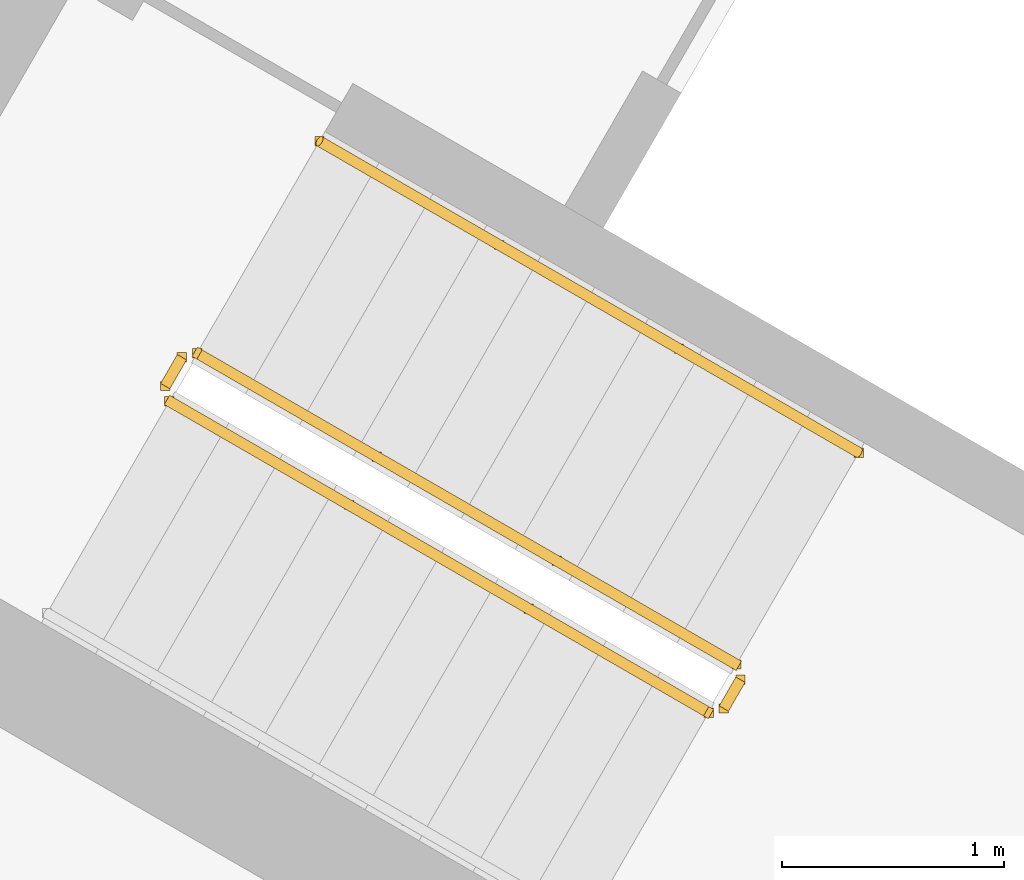
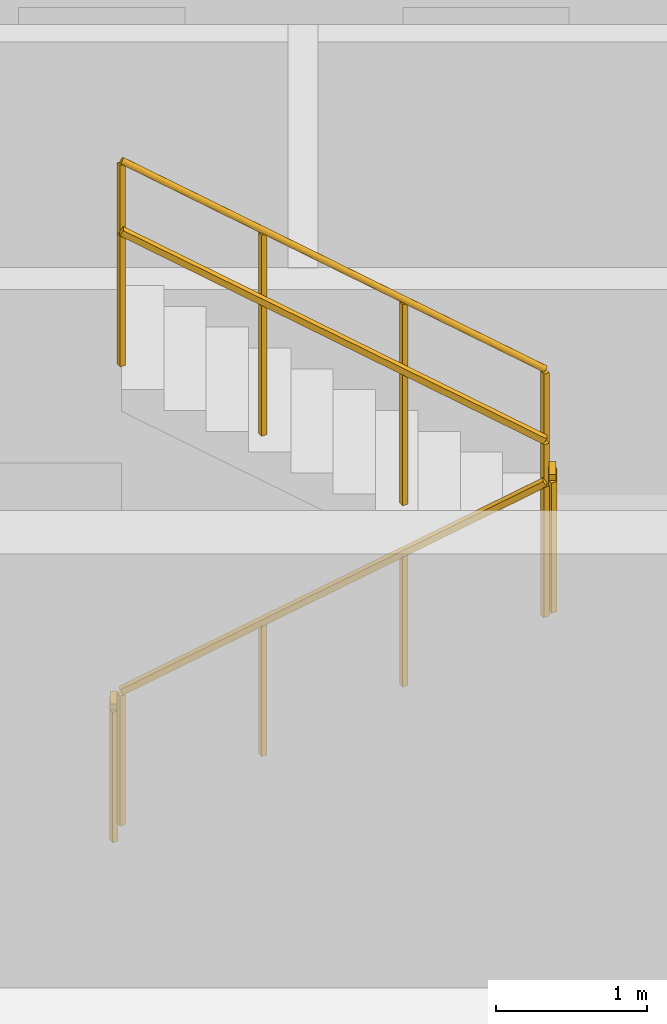
# One storey, part 12 of 14: 5 railings.
"""IFC4 building model written with IfcOpenShell, lengths in metres."""

from ifc_helpers import new_model, si_unit, direction, frame, origin, origin_2d, place, context, subcontext, project, spatial, rectangle, circle, extrude, material, type_object, element, save


model = new_model("IFC4")

# Units and contexts
model_context = context("Model", 3, precision=1e-05, world=origin(), true_north=direction((0.0, 1.0)))
body_context = subcontext(model_context, "Body", "Model", "MODEL_VIEW")
ifc_project = project(units=[si_unit("LENGTHUNIT", "METRE"), si_unit("AREAUNIT", "SQUARE_METRE"), si_unit("VOLUMEUNIT", "CUBIC_METRE"), si_unit("PLANEANGLEUNIT", "RADIAN"), si_unit("MASSUNIT", "GRAM", prefix="KILO")], contexts=[model_context])

# Site, building, storey
site_placement = place(None, origin())
site = spatial("IfcSite", under=ifc_project, at=site_placement, CompositionType="ELEMENT")
building_placement = place(site_placement, origin())
building = spatial("IfcBuilding", under=site, at=building_placement, Name="Apuvela Tower Hotel", CompositionType="ELEMENT")
storey_placement = place(building_placement, frame((0.0, 0.0, 113.10009765625)))
storey = spatial("IfcBuildingStorey", under=building, at=storey_placement, Name="L26", CompositionType="ELEMENT", Elevation=113.10009765625)

# Railings
ifc_material_1 = material(Name="Steel S275 balustrade", Category="steel")
railing_type_1 = type_object("IfcRailingType", Name="COR-GUARD-1100", PredefinedType="GUARDRAIL", material=ifc_material_1)
railing_1_placement = place(storey_placement, frame((10.718994140625, -10.63427734375, 0.16796875)))
element("IfcRailing", 1, at=railing_1_placement, inside=storey, type_object=railing_type_1, Name="L26 ST3 stair guard 1", PredefinedType="GUARDRAIL", context=body_context, shape_type="SweptSolid", body=[
    extrude(rectangle(XDim=0.048095703125, YDim=0.048095703125, at=origin_2d()), frame((0.0, 0.0, 1.076171875), z_axis=(0.742390482028, -0.42860119049, 0.514934356695), x_axis=(0.49998411664, 0.866034573852, 0.0)), (0.0, 0.0, 1.0), 3.26611328125),
    extrude(rectangle(XDim=0.0419921875, YDim=0.0419921875, at=origin_2d()), origin(), (0.0, 0.0, 1.0), 1.052001953125),
    extrude(rectangle(XDim=0.0419921875, YDim=0.0419921875, at=origin_2d()), frame((0.808349609375, -0.466552734375, 0.560546875)), (0.0, 0.0, 1.0), 1.052001953125),
    extrude(rectangle(XDim=0.0419921875, YDim=0.0419921875, at=origin_2d()), frame((1.616455078125, -0.933349609375, 1.121337890625)), (0.0, 0.0, 1.0), 1.052001953125),
    extrude(rectangle(XDim=0.0419921875, YDim=0.0419921875, at=origin_2d()), frame((2.4248046875, -1.39990234375, 1.681884765625)), (0.0, 0.0, 1.0), 1.052001953125),
])
railing_2_placement = place(storey_placement, frame((13.212158203125, -12.015869140625, 1.849853515625)))
element("IfcRailing", 2, at=railing_2_placement, inside=storey, type_object=railing_type_1, Name="L26 ST3 stair guard 2", PredefinedType="GUARDRAIL", context=body_context, shape_type="SweptSolid", body=[
    extrude(rectangle(XDim=0.048095703125, YDim=0.048095703125, at=origin_2d()), frame((0.0, 0.0, 1.076171875), z_axis=(0.499816412211, 0.866131372301, 0.0), x_axis=(-0.866131372301, 0.499816412211, 0.0)), (0.0, 0.0, 1.0), 0.14990234375),
    extrude(rectangle(XDim=0.0419921875, YDim=0.0419921875, at=origin_2d()), origin(), (0.0, 0.0, 1.0), 1.052001953125),
    extrude(rectangle(XDim=0.0419921875, YDim=0.0419921875, at=origin_2d()), frame((0.074951171875, 0.1298828125, 0.0)), (0.0, 0.0, 1.0), 1.052001953125),
])
railing_3_placement = place(storey_placement, frame((13.268798828125, -11.817626953125, 2.01806640625)))
element("IfcRailing", 3, at=railing_3_placement, inside=storey, type_object=railing_type_1, Name="L26 ST3 stair guard 3", PredefinedType="GUARDRAIL", context=body_context, shape_type="SweptSolid", body=[
    extrude(rectangle(XDim=0.048095703125, YDim=0.048095703125, at=origin_2d()), frame((0.0, 0.0, 1.076171875), z_axis=(-0.742390482028, 0.42860119049, 0.514934356695), x_axis=(-0.49998411664, -0.866034573852, 0.0)), (0.0, 0.0, 1.0), 3.26611328125),
    extrude(rectangle(XDim=0.0419921875, YDim=0.0419921875, at=origin_2d()), origin(), (0.0, 0.0, 1.0), 1.052001953125),
    extrude(rectangle(XDim=0.0419921875, YDim=0.0419921875, at=origin_2d()), frame((-0.808349609375, 0.466552734375, 0.560546875)), (0.0, 0.0, 1.0), 1.052001953125),
    extrude(rectangle(XDim=0.0419921875, YDim=0.0419921875, at=origin_2d()), frame((-1.616455078125, 0.933349609375, 1.121337890625)), (0.0, 0.0, 1.0), 1.052001953125),
    extrude(rectangle(XDim=0.0419921875, YDim=0.0419921875, at=origin_2d()), frame((-2.4248046875, 1.39990234375, 1.681884765625)), (0.0, 0.0, 1.0), 1.052001953125),
])
railing_4_placement = place(storey_placement, frame((10.70068359375, -10.56591796875, 0.0)))
element("IfcRailing", 4, at=railing_4_placement, inside=storey, type_object=railing_type_1, Name="L26 ST3 stair guard 4", PredefinedType="GUARDRAIL", context=body_context, shape_type="SweptSolid", body=[
    extrude(rectangle(XDim=0.048095703125, YDim=0.048095703125, at=origin_2d()), frame((0.0, 0.0, 1.076171875), z_axis=(0.499816412211, 0.866131372301, 0.0), x_axis=(-0.866131372301, 0.499816412211, 0.0)), (0.0, 0.0, 1.0), 0.14990234375),
    extrude(rectangle(XDim=0.0419921875, YDim=0.0419921875, at=origin_2d()), origin(), (0.0, 0.0, 1.0), 1.052001953125),
    extrude(rectangle(XDim=0.0419921875, YDim=0.0419921875, at=origin_2d()), frame((0.074951171875, 0.1298828125, 0.0)), (0.0, 0.0, 1.0), 1.052001953125),
])
ifc_material_2 = material(Name="Stainless steel 316 handrail", Category="steel")
railing_type_2 = type_object("IfcRailingType", Name="COR-HANDRAIL-900", PredefinedType="HANDRAIL", material=ifc_material_2)
railing_5_placement = place(storey_placement, frame((13.81884765625, -10.864990234375, 2.01806640625)))
element("IfcRailing", 5, at=railing_5_placement, inside=storey, type_object=railing_type_2, Name="L26 ST3 stair handrail 2", PredefinedType="HANDRAIL", context=body_context, shape_type="SweptSolid", body=[
    extrude(circle(Radius=0.02392578125, at=origin_2d()), frame((0.0, 0.0, 0.8759765625), z_axis=(-0.742390482028, 0.42860119049, 0.514934356695), x_axis=(-0.49998411664, -0.866034573852, 0.0)), (0.0, 0.0, 1.0), 3.26611328125),
    extrude(rectangle(XDim=0.0419921875, YDim=0.0419921875, at=origin_2d()), origin(), (0.0, 0.0, 1.0), 0.851806640625),
    extrude(rectangle(XDim=0.0419921875, YDim=0.0419921875, at=origin_2d()), frame((-0.808349609375, 0.466552734375, 0.560546875)), (0.0, 0.0, 1.0), 0.851806640625),
    extrude(rectangle(XDim=0.0419921875, YDim=0.0419921875, at=origin_2d()), frame((-1.616455078125, 0.933349609375, 1.121337890625)), (0.0, 0.0, 1.0), 0.851806640625),
    extrude(rectangle(XDim=0.0419921875, YDim=0.0419921875, at=origin_2d()), frame((-2.4248046875, 1.39990234375, 1.681884765625)), (0.0, 0.0, 1.0), 0.851806640625),
])

save(model, "model.ifc")
